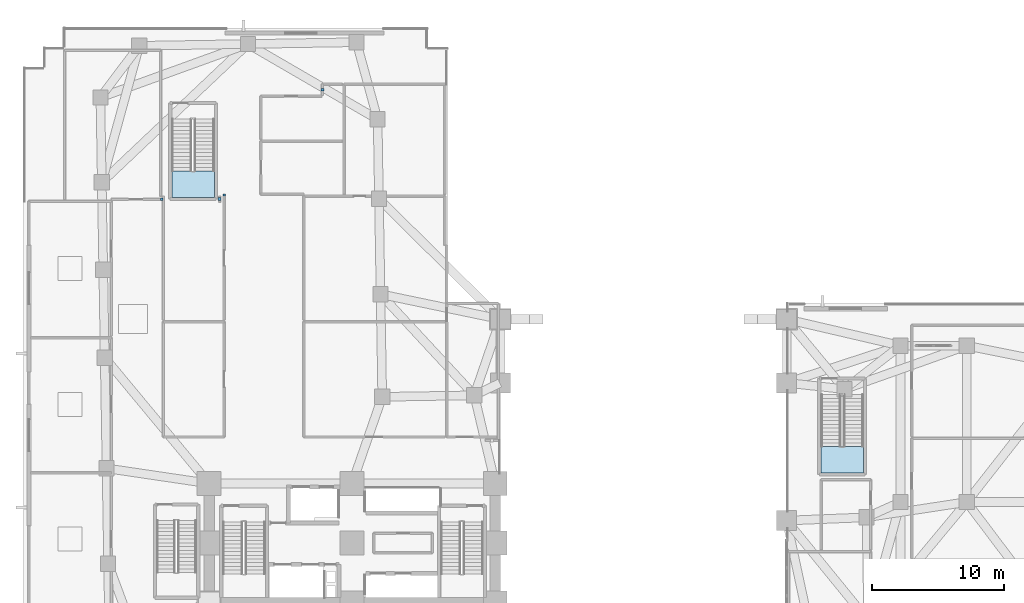
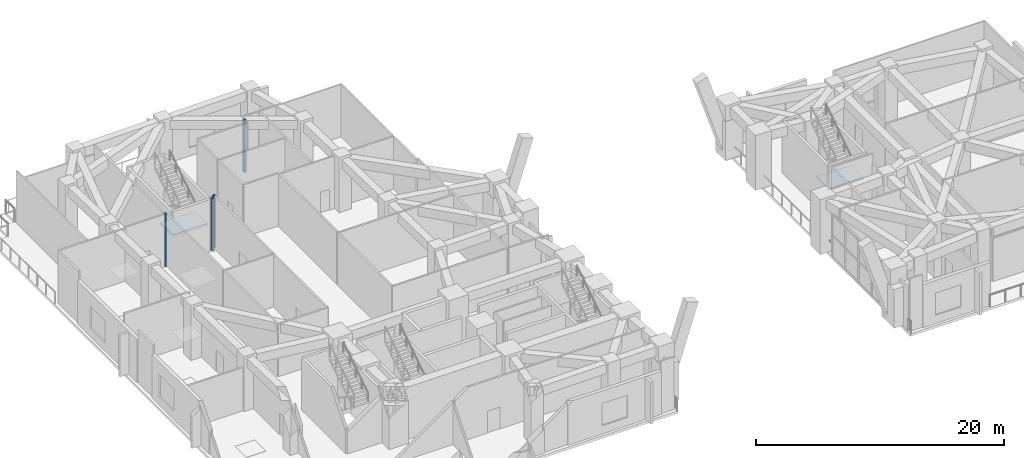
# One storey, part 6 of 18: 4 plates, 2 slabs, 2 elements without a shape of their own.
"""IFC4 building model written with IfcOpenShell, lengths in metres."""

from ifc_helpers import new_model, si_unit, direction, frame, origin, origin_2d, place, context, subcontext, project, spatial, polyline, rectangle, outline, extrude, material, layer, layer_set, type_object, element, aggregate, save


model = new_model("IFC4")

# Units and contexts
model_context = context("Model", 3, precision=1e-05, world=origin(), true_north=direction((0.0, 1.0)))
body_context = subcontext(model_context, "Body", "Model", "MODEL_VIEW")
ifc_project = project(units=[si_unit("LENGTHUNIT", "METRE"), si_unit("AREAUNIT", "SQUARE_METRE"), si_unit("VOLUMEUNIT", "CUBIC_METRE"), si_unit("PLANEANGLEUNIT", "RADIAN"), si_unit("MASSUNIT", "GRAM", prefix="KILO")], contexts=[model_context])

# Site, building, storey
site_placement = place(None, origin())
site = spatial("IfcSite", under=ifc_project, at=site_placement, CompositionType="ELEMENT")
building_placement = place(site_placement, origin())
building = spatial("IfcBuilding", under=site, at=building_placement, Name="Gaonmaruhae Medical Tower", CompositionType="ELEMENT")
storey_placement = place(building_placement, frame((0.0, 0.0, 5.39990234375)))
storey = spatial("IfcBuildingStorey", under=building, at=storey_placement, Name="L01", CompositionType="ELEMENT", Elevation=5.39990234375)

# Plates
ifc_material_1 = material(Name="Anodised aluminium 6063-T6", Category="aluminium")
ifc_layer_1 = layer(ifc_material_1, 0.011962890625)
ifc_layer_set_1 = layer_set([ifc_layer_1], Name="Anodised aluminium 6063-T6")
plate_type = type_object("IfcPlateType", Name="PP-01 Interior Partition Corner Stiffener Plate", PredefinedType="SHEET", material=ifc_layer_set_1)
for number, where, z_axis, x_axis, name in (
    (1, (15.139892578125, 38.580078125, 0.000244140625), (0.0, 0.0, 1.0), (0.0, -1.0, 0.0), "L01 Partition End Jamb Post Plate PLT-L01-ENDP-PW061-0"),
    (2, (10.429931640625, 38.25, 0.000244140625), (0.0, 0.0, 1.0), (-1.0, 0.0, 0.0), "L01 Partition End Jamb Post Plate PLT-L01-ENDP-PW075-0"),
):
    element("IfcPlate", number, at=place(storey_placement, frame(where, z_axis=z_axis, x_axis=x_axis)), inside=storey, type_object=plate_type, Name=name, PredefinedType="SHEET", context=body_context, shape_type="SweptSolid", body=[
        extrude(rectangle(XDim=0.179931640625, YDim=0.179931640625, at=origin_2d()), origin(), (0.0, 0.0, 1.0), 5.14990234375),
    ])
for number, where, z_axis, x_axis, name in (
    (3, (14.800048828125, 38.27490234375, 0.000244140625), (0.0, 0.0, 1.0), (0.0, 1.0, 0.0), "L01 Partition Corner Stiffener Plate PLT-L01-JGP-PW060"),
    (4, (22.56005859375, 46.52197265625, 0.000244140625), (0.0, 0.0, 1.0), (0.0, 1.0, 0.0), "L01 Partition Corner Stiffener Plate PLT-L01-JGP-PW071"),
):
    element("IfcPlate", number, at=place(storey_placement, frame(where, z_axis=z_axis, x_axis=x_axis)), inside=storey, type_object=plate_type, Name=name, PredefinedType="SHEET", context=body_context, shape_type="SweptSolid", body=[
        extrude(rectangle(XDim=0.219970703125, YDim=0.219970703125, at=origin_2d()), origin(), (0.0, 0.0, 1.0), 5.14990234375),
    ])

# Stair, slab
ifc_material_2 = material(Name="Concrete C40/50", Category="concrete")
stair_type = type_object("IfcStairType", Name="ST-T3 Podium Escape Dogleg Stair", PredefinedType="TWO_QUARTER_TURN_STAIR", material=ifc_material_2)
stair_1_placement = place(storey_placement, origin())
stair_1 = element("IfcStair", 5, at=stair_1_placement, inside=storey, type_object=stair_type, Name="L01 Protected Escape Stair ST-04", PredefinedType="TWO_QUARTER_TURN_STAIR")
ifc_layer_2 = layer(ifc_material_2, 0.199951171875)
ifc_layer_set_2 = layer_set([ifc_layer_2], Name="Concrete C40/50")
slab_type = type_object("IfcSlabType", Name="SL-200 Stair & Ramp Intermediate Concrete Landing", PredefinedType="LANDING", material=ifc_layer_set_2)
slab_1_placement = place(storey_placement, frame((0.0, 0.0, 2.5)))
slab_1 = element("IfcSlab", 6, at=slab_1_placement, type_object=slab_type, Name="ST-04 landing 1", PredefinedType="LANDING", context=body_context, shape_type="SweptSolid", body=[
    extrude(outline(polyline([(60.199951171875, 19.580078125), (60.199951171875, 17.60009765625), (63.39990234375, 17.60009765625), (63.39990234375, 19.580078125), (60.199951171875, 19.580078125)])), origin(), (0.0, 0.0, 1.0), 0.2001953125),
])
aggregate(stair_1, [slab_1])

stair_2_placement = place(storey_placement, origin())
stair_2 = element("IfcStair", 7, at=stair_2_placement, inside=storey, type_object=stair_type, Name="L01 Protected Escape Stair ST-05", PredefinedType="TWO_QUARTER_TURN_STAIR")
slab_2_placement = place(storey_placement, frame((0.0, 0.0, 2.5)))
slab_2 = element("IfcSlab", 8, at=slab_2_placement, type_object=slab_type, Name="ST-05 landing 1", PredefinedType="LANDING", context=body_context, shape_type="SweptSolid", body=[
    extrude(outline(polyline([(11.199951171875, 40.3798828125), (11.199951171875, 38.39990234375), (14.39990234375, 38.39990234375), (14.39990234375, 40.3798828125), (11.199951171875, 40.3798828125)])), origin(), (0.0, 0.0, 1.0), 0.2001953125),
])
aggregate(stair_2, [slab_2])

save(model, "model.ifc")
